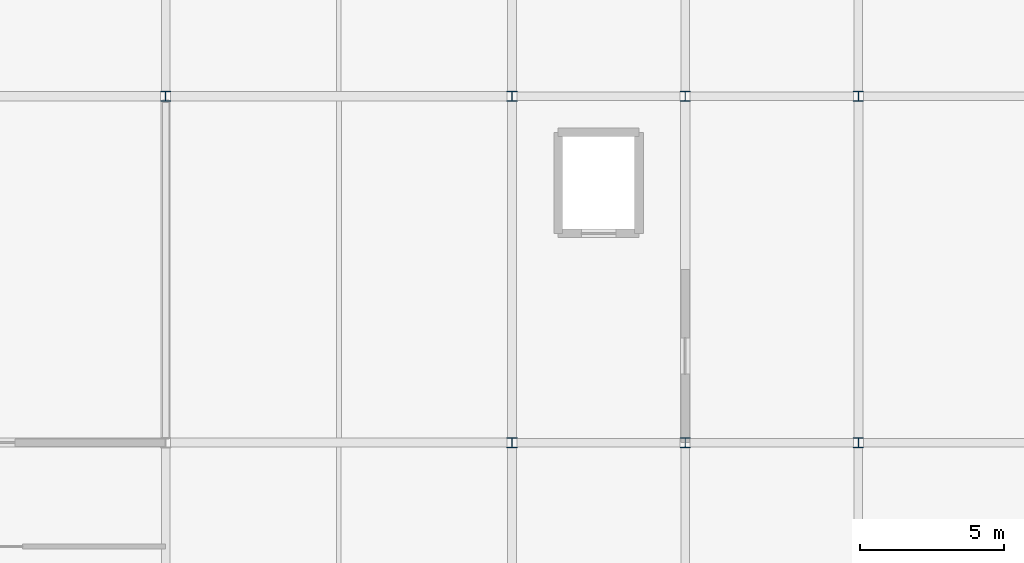
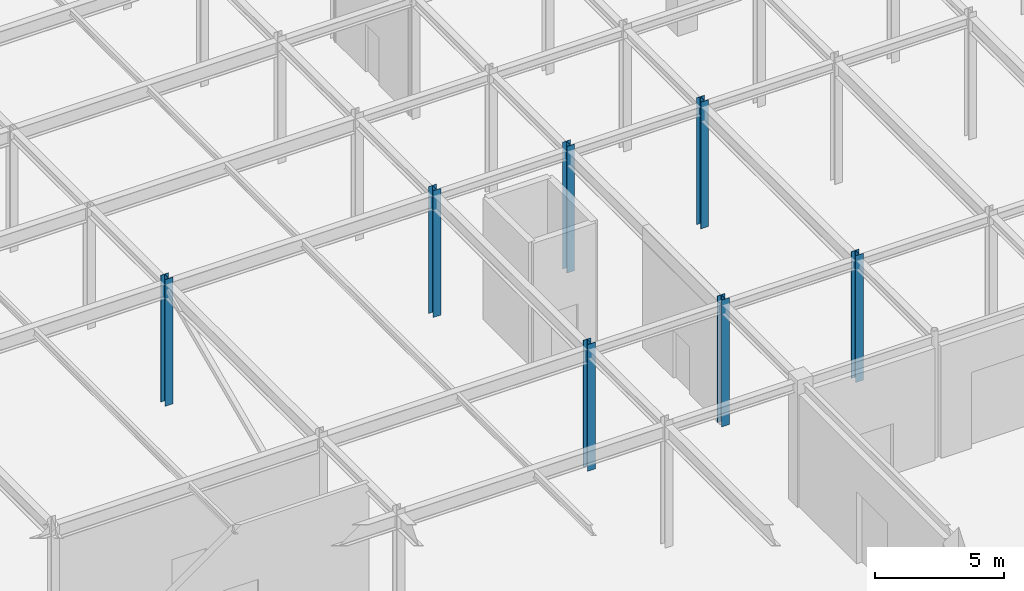
# One storey, part 4 of 51: 7 columns.
"""IFC4 building model written with IfcOpenShell, lengths in metres."""

from ifc_helpers import new_model, si_unit, direction, frame, origin, origin_2d, place, context, subcontext, project, spatial, i_section, extrude, material, material_profile, profile_set, type_object, element, save


model = new_model("IFC4")

# Units and contexts
model_context = context("Model", 3, precision=1e-05, world=origin(), true_north=direction((0.0, 1.0)))
body_context = subcontext(model_context, "Body", "Model", "MODEL_VIEW")
ifc_project = project(units=[si_unit("LENGTHUNIT", "METRE"), si_unit("AREAUNIT", "SQUARE_METRE"), si_unit("VOLUMEUNIT", "CUBIC_METRE"), si_unit("PLANEANGLEUNIT", "RADIAN"), si_unit("MASSUNIT", "GRAM", prefix="KILO")], contexts=[model_context])

# Site, building, storey
site_placement = place(None, origin())
site = spatial("IfcSite", under=ifc_project, at=site_placement, CompositionType="ELEMENT")
building_placement = place(site_placement, origin())
building = spatial("IfcBuilding", under=site, at=building_placement, Name="Zlatovratsky Civic Hall", CompositionType="ELEMENT")
storey_placement = place(building_placement, origin())
storey = spatial("IfcBuildingStorey", under=building, at=storey_placement, Name="L01", CompositionType="ELEMENT", Elevation=0.0)

# Columns
ifc_material = material(Name="Steel S355", Category="steel")
ifc_material_profile = material_profile(ifc_material, i_section(OverallWidth=0.35009765625, OverallDepth=0.343017578125, WebThickness=0.010009765625, FlangeThickness=0.014892578125, FilletRadius=0.02001953125, at=origin_2d()), Name="35K1")
ifc_profile_set = profile_set([ifc_material_profile], Name="Steel S355")
column_type = type_object("IfcColumnType", Name="Col_Steel_35K1", PredefinedType="COLUMN", material=ifc_profile_set)
for number, where, z_axis, x_axis, name in (
    (1, (48.0, 18.0, 0.0), (0.0, 0.0, 1.0), (1.0, 0.0, 0.0), "CL-0459"),
    (2, (54.0, 18.0, 0.0), (0.0, 0.0, 1.0), (1.0, 0.0, 0.0), "CL-0460"),
    (3, (60.0, 18.0, 0.0), (0.0, 0.0, 1.0), (1.0, 0.0, 0.0), "CL-0461"),
    (4, (36.0, 30.0, 0.0), (0.0, 0.0, 1.0), (1.0, 0.0, 0.0), "CL-0481"),
    (5, (48.0, 30.0, 0.0), (0.0, 0.0, 1.0), (1.0, 0.0, 0.0), "CL-0482"),
    (6, (54.0, 30.0, 0.0), (0.0, 0.0, 1.0), (1.0, 0.0, 0.0), "CL-0483"),
    (7, (60.0, 30.0, 0.0), (0.0, 0.0, 1.0), (1.0, 0.0, 0.0), "CL-0484"),
):
    element("IfcColumn", number, at=place(storey_placement, frame(where, z_axis=z_axis, x_axis=x_axis)), inside=storey, type_object=column_type, Name=name, PredefinedType="COLUMN", context=body_context, shape_type="SweptSolid", body=[
        extrude(i_section(OverallWidth=0.35009765625, OverallDepth=0.343017578125, WebThickness=0.010009765625, FlangeThickness=0.014892578125, FilletRadius=0.02001953125, at=origin_2d()), origin(), (0.0, 0.0, 1.0), 6.0),
    ])

save(model, "model.ifc")
